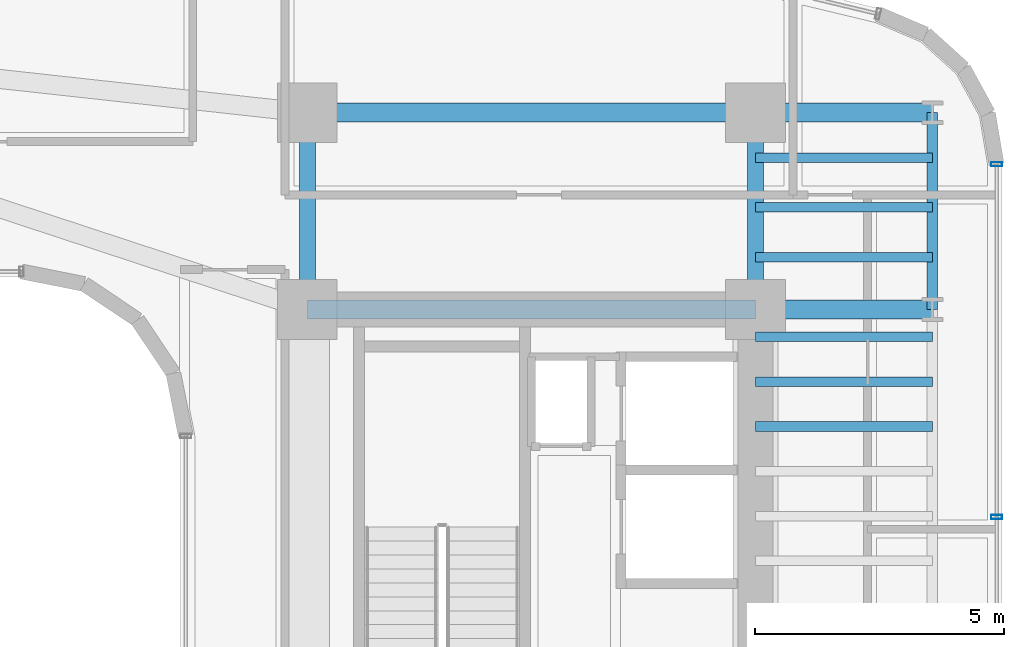
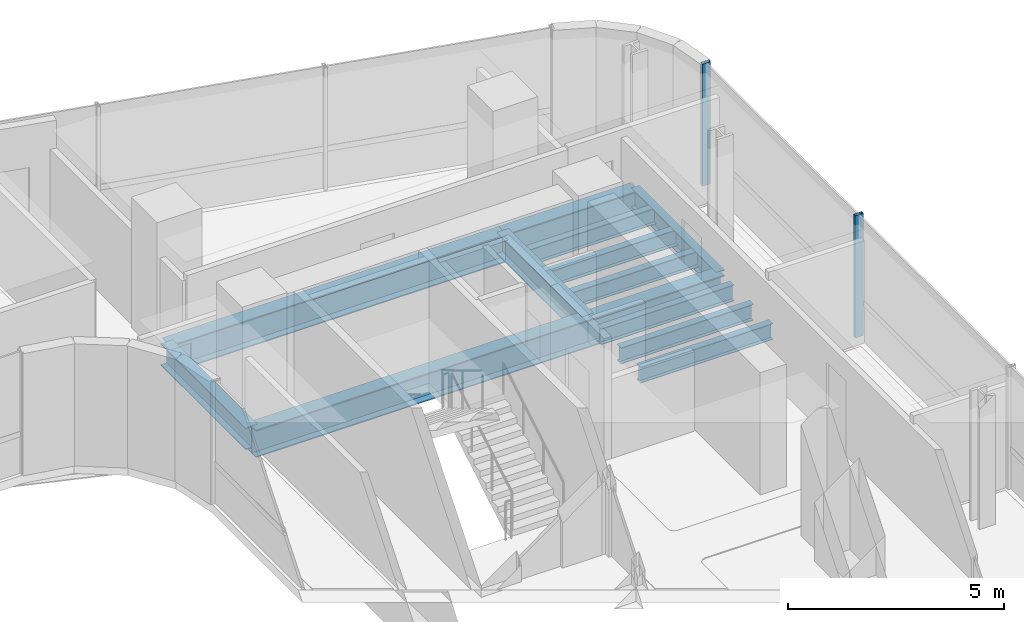
# One storey, part 17 of 35: 13 beams, 2 members, 1 element without a shape of its own.
"""IFC4 building model written with IfcOpenShell, lengths in metres."""

from ifc_helpers import new_model, si_unit, direction, frame, origin, origin_2d, place, context, subcontext, project, spatial, hollow_rectangle, i_section, extrude, source, transform, mapped, material, material_profile, profile_set, type_object, element, aggregate, save


model = new_model("IFC4")

# Units and contexts
model_context = context("Model", 3, precision=1e-05, world=origin(), true_north=direction((0.0, 1.0)))
body_context = subcontext(model_context, "Body", "Model", "MODEL_VIEW")
ifc_project = project(units=[si_unit("LENGTHUNIT", "METRE"), si_unit("AREAUNIT", "SQUARE_METRE"), si_unit("VOLUMEUNIT", "CUBIC_METRE"), si_unit("PLANEANGLEUNIT", "RADIAN"), si_unit("MASSUNIT", "GRAM", prefix="KILO")], contexts=[model_context])

# Site, building, storey
site_placement = place(None, origin())
site = spatial("IfcSite", under=ifc_project, at=site_placement, CompositionType="ELEMENT")
building_placement = place(site_placement, origin())
building = spatial("IfcBuilding", under=site, at=building_placement, Name="Valdorenza Pilgrim Sanctuary Tower", CompositionType="ELEMENT")
storey_placement = place(building_placement, frame((0.0, 0.0, 139.0)))
storey = spatial("IfcBuildingStorey", under=building, at=storey_placement, Name="L35", CompositionType="ELEMENT", Elevation=139.0)

# Beams
ifc_material_1 = material(Name="Steel ASTM A992 Grade 50", Category="steel")
ifc_material_profile_1 = material_profile(ifc_material_1, i_section(OverallWidth=0.323974609375, OverallDepth=0.611083984375, WebThickness=0.0126953125, FlangeThickness=0.01904296875, at=origin_2d()), Name="W24X104")
ifc_profile_set_1 = profile_set([ifc_material_profile_1], Name="Steel ASTM A992 Grade 50")
beam_type_1 = type_object("IfcBeamType", Name="STR-BM-GRD-W24B", PredefinedType="BEAM", material=ifc_profile_set_1)
shared_shape_1 = source(origin(), body_context, "Body", "SweptSolid", [
    extrude(i_section(OverallWidth=0.323974609375, OverallDepth=0.611083984375, WebThickness=0.0126953125, FlangeThickness=0.01904296875, at=origin_2d()), origin(), (0.0, 0.0, 1.0), 3.949951171875),
])
for number, where, z_axis, x_axis, name in (
    (1, (15.85009765625, 9.550048828125, -0.54541015625), (0.0, 1.0, 0.0), (-1.0, 0.0, 0.0), "L35 Core Tie Girder CB-W-N1N2"),
    (2, (24.85009765625, 9.550048828125, -0.54541015625), (0.0, 1.0, 0.0), (-1.0, 0.0, 0.0), "L35 Core Tie Girder CB-E-N1N2"),
):
    element("IfcBeam", number, at=place(storey_placement, frame(where, z_axis=z_axis, x_axis=x_axis)), inside=storey, type_object=beam_type_1, Name=name, PredefinedType="BEAM", context=body_context, shape_type="MappedRepresentation", body=[
        mapped(shared_shape_1, transform((0.0, 0.0, 0.0), x_axis=(1.0, 0.0, 0.0), y_axis=(0.0, 1.0, 0.0), z_axis=(0.0, 0.0, 1.0), scale=1.0)),
    ])
ifc_material_profile_2 = material_profile(ifc_material_1, i_section(OverallWidth=0.214111328125, OverallDepth=0.549072265625, WebThickness=0.0146484375, FlangeThickness=0.023681640625, at=origin_2d()), Name="W21X93")
ifc_profile_set_2 = profile_set([ifc_material_profile_2], Name="Steel ASTM A992 Grade 50")
beam_type_2 = type_object("IfcBeamType", Name="STR-BM-SPN-W21A", PredefinedType="SPANDREL", material=ifc_profile_set_2)
shared_shape_2 = source(origin(), body_context, "Body", "SweptSolid", [
    extrude(i_section(OverallWidth=0.214111328125, OverallDepth=0.549072265625, WebThickness=0.0146484375, FlangeThickness=0.023681640625, at=origin_2d()), origin(), (0.0, 0.0, 1.0), 3.949951171875),
])
beam_placement = place(storey_placement, frame((28.39990234375, 9.550048828125, -0.514404296875), z_axis=(0.0, 1.0, 0.0), x_axis=(-1.0, 0.0, 0.0)))
element("IfcBeam", 3, at=beam_placement, inside=storey, type_object=beam_type_2, Name="L35 Spandrel Beam WB-E-N1N2", PredefinedType="SPANDREL", context=body_context, shape_type="MappedRepresentation", body=[
    mapped(shared_shape_2, transform((0.0, 0.0, 0.0), x_axis=(1.0, 0.0, 0.0), y_axis=(0.0, 1.0, 0.0), z_axis=(0.0, 0.0, 1.0), scale=1.0)),
])
ifc_material_profile_3 = material_profile(ifc_material_1, i_section(OverallWidth=0.382080078125, OverallDepth=0.779052734375, WebThickness=0.01806640625, FlangeThickness=0.030029296875, at=origin_2d()), Name="W30X191")
ifc_profile_set_3 = profile_set([ifc_material_profile_3], Name="Steel ASTM A992 Grade 50")
beam_type_3 = type_object("IfcBeamType", Name="STR-BM-GRD-W30", PredefinedType="BEAM", material=ifc_profile_set_3)
shared_shape_3 = source(origin(), body_context, "Body", "SweptSolid", [
    extrude(i_section(OverallWidth=0.382080078125, OverallDepth=0.779052734375, WebThickness=0.01806640625, FlangeThickness=0.030029296875, at=origin_2d()), origin(), (0.0, 0.0, 1.0), 9.0),
])
for number, where, z_axis, x_axis, name in (
    (4, (15.85009765625, 9.550048828125, -0.62939453125), (1.0, 0.0, 0.0), (0.0, 1.0, 0.0), "L35 Floor Girder CB-XC-N1"),
    (5, (15.85009765625, 13.5, -0.62939453125), (1.0, 0.0, 0.0), (0.0, 1.0, 0.0), "L35 Floor Girder CB-XC-N2"),
):
    element("IfcBeam", number, at=place(storey_placement, frame(where, z_axis=z_axis, x_axis=x_axis)), inside=storey, type_object=beam_type_3, Name=name, PredefinedType="BEAM", context=body_context, shape_type="MappedRepresentation", body=[
        mapped(shared_shape_3, transform((0.0, 0.0, 0.0), x_axis=(1.0, 0.0, 0.0), y_axis=(0.0, 1.0, 0.0), z_axis=(0.0, 0.0, 1.0), scale=1.0)),
    ])
shared_shape_4 = source(origin(), body_context, "Body", "SweptSolid", [
    extrude(i_section(OverallWidth=0.382080078125, OverallDepth=0.779052734375, WebThickness=0.01806640625, FlangeThickness=0.030029296875, at=origin_2d()), origin(), (0.0, 0.0, 1.0), 3.5498046875),
])
for number, where, z_axis, x_axis, name in (
    (6, (24.85009765625, 9.550048828125, -0.62939453125), (1.0, 0.0, 0.0), (0.0, 1.0, 0.0), "L35 Floor Girder WB-XE-N1"),
    (7, (24.85009765625, 13.5, -0.62939453125), (1.0, 0.0, 0.0), (0.0, 1.0, 0.0), "L35 Floor Girder WB-XE-N2"),
):
    element("IfcBeam", number, at=place(storey_placement, frame(where, z_axis=z_axis, x_axis=x_axis)), inside=storey, type_object=beam_type_3, Name=name, PredefinedType="BEAM", context=body_context, shape_type="MappedRepresentation", body=[
        mapped(shared_shape_4, transform((0.0, 0.0, 0.0), x_axis=(1.0, 0.0, 0.0), y_axis=(0.0, 1.0, 0.0), z_axis=(0.0, 0.0, 1.0), scale=1.0)),
    ])
ifc_material_profile_4 = material_profile(ifc_material_1, i_section(OverallWidth=0.19091796875, OverallDepth=0.45703125, WebThickness=0.009033203125, FlangeThickness=0.014404296875, at=origin_2d()), Name="W18X50")
ifc_profile_set_4 = profile_set([ifc_material_profile_4], Name="Steel ASTM A992 Grade 50")
beam_type_4 = type_object("IfcBeamType", Name="STR-BM-JST-W18B", PredefinedType="JOIST", material=ifc_profile_set_4)
shared_shape_5 = source(origin(), body_context, "Body", "SweptSolid", [
    extrude(i_section(OverallWidth=0.19091796875, OverallDepth=0.45703125, WebThickness=0.009033203125, FlangeThickness=0.014404296875, at=origin_2d()), origin(), (0.0, 0.0, 1.0), 3.5498046875),
])
for number, where, z_axis, x_axis, name in (
    (8, (24.85009765625, 7.199951171875, -0.468505859375), (1.0, 0.0, 0.0), (0.0, 1.0, 0.0), "L35 Composite Floor Joist JST-WB-16"),
    (9, (24.85009765625, 8.10009765625, -0.468505859375), (1.0, 0.0, 0.0), (0.0, 1.0, 0.0), "L35 Composite Floor Joist JST-WB-17"),
    (10, (24.85009765625, 9.0, -0.468505859375), (1.0, 0.0, 0.0), (0.0, 1.0, 0.0), "L35 Composite Floor Joist JST-WB-18"),
    (11, (24.85009765625, 10.60009765625, -0.468505859375), (1.0, 0.0, 0.0), (0.0, 1.0, 0.0), "L35 Composite Floor Joist JST-WB-19"),
    (12, (24.85009765625, 11.60009765625, -0.468505859375), (1.0, 0.0, 0.0), (0.0, 1.0, 0.0), "L35 Composite Floor Joist JST-WB-20"),
    (13, (24.85009765625, 12.60009765625, -0.468505859375), (1.0, 0.0, 0.0), (0.0, 1.0, 0.0), "L35 Composite Floor Joist JST-WB-21"),
):
    element("IfcBeam", number, at=place(storey_placement, frame(where, z_axis=z_axis, x_axis=x_axis)), inside=storey, type_object=beam_type_4, Name=name, PredefinedType="JOIST", context=body_context, shape_type="MappedRepresentation", body=[
        mapped(shared_shape_5, transform((0.0, 0.0, 0.0), x_axis=(1.0, 0.0, 0.0), y_axis=(0.0, 1.0, 0.0), z_axis=(0.0, 0.0, 1.0), scale=1.0)),
    ])

# Curtain wall, members
ifc_material_2 = material(Name="Curtain-wall IGU glazing", Category="glass")
curtain_wall_type = type_object("IfcCurtainWallType", Name="CW-SYS-03", PredefinedType="NOTDEFINED", material=ifc_material_2)
curtain_wall_placement = place(storey_placement, origin())
curtain_wall = element("IfcCurtainWall", 14, at=curtain_wall_placement, inside=storey, type_object=curtain_wall_type, Name="L35 Curtain Wall CW-L35-1-21", PredefinedType="NOTDEFINED")
ifc_material_3 = material(Name="Anodised aluminium AW-6060", Category="aluminium")
ifc_material_profile_5 = material_profile(ifc_material_3, hollow_rectangle(XDim=0.0849609375, YDim=0.219970703125, WallThickness=0.0048828125, at=origin_2d()), Name="ALU-M 220x85x5")
ifc_profile_set_5 = profile_set([ifc_material_profile_5], Name="Anodised aluminium AW-6060")
member_type = type_object("IfcMemberType", Name="CW-MUL-03", PredefinedType="MULLION", material=ifc_profile_set_5)
shared_shape_6 = source(origin(), body_context, "Body", "SweptSolid", [
    extrude(hollow_rectangle(XDim=0.0849609375, YDim=0.219970703125, WallThickness=0.0048828125, at=origin_2d()), origin(), (0.0, 0.0, 1.0), 3.4599609375),
])
member_1_placement = place(storey_placement, frame((29.68994140625, 12.46630859375, 0.0), z_axis=(0.0, 0.0, 1.0), x_axis=(0.0, -1.0, 0.0)))
member_1 = element("IfcMember", 15, at=member_1_placement, type_object=member_type, Name="CW-L35-1-21 Mullion 1", PredefinedType="MULLION", context=body_context, shape_type="MappedRepresentation", body=[
    mapped(shared_shape_6, transform((0.0, 0.0, 0.0), x_axis=(1.0, 0.0, 0.0), y_axis=(0.0, 1.0, 0.0), z_axis=(0.0, 0.0, 1.0), scale=1.0)),
])
member_2_placement = place(storey_placement, frame((29.68994140625, 5.381103515625, 0.0), z_axis=(0.0, 0.0, 1.0), x_axis=(0.0, -1.0, 0.0)))
member_2 = element("IfcMember", 16, at=member_2_placement, type_object=member_type, Name="CW-L35-1-21 Mullion 2", PredefinedType="MULLION", context=body_context, shape_type="MappedRepresentation", body=[
    mapped(shared_shape_6, transform((0.0, 0.0, 0.0), x_axis=(1.0, 0.0, 0.0), y_axis=(0.0, 1.0, 0.0), z_axis=(0.0, 0.0, 1.0), scale=1.0)),
])
aggregate(curtain_wall, [member_1, member_2])

save(model, "model.ifc")
